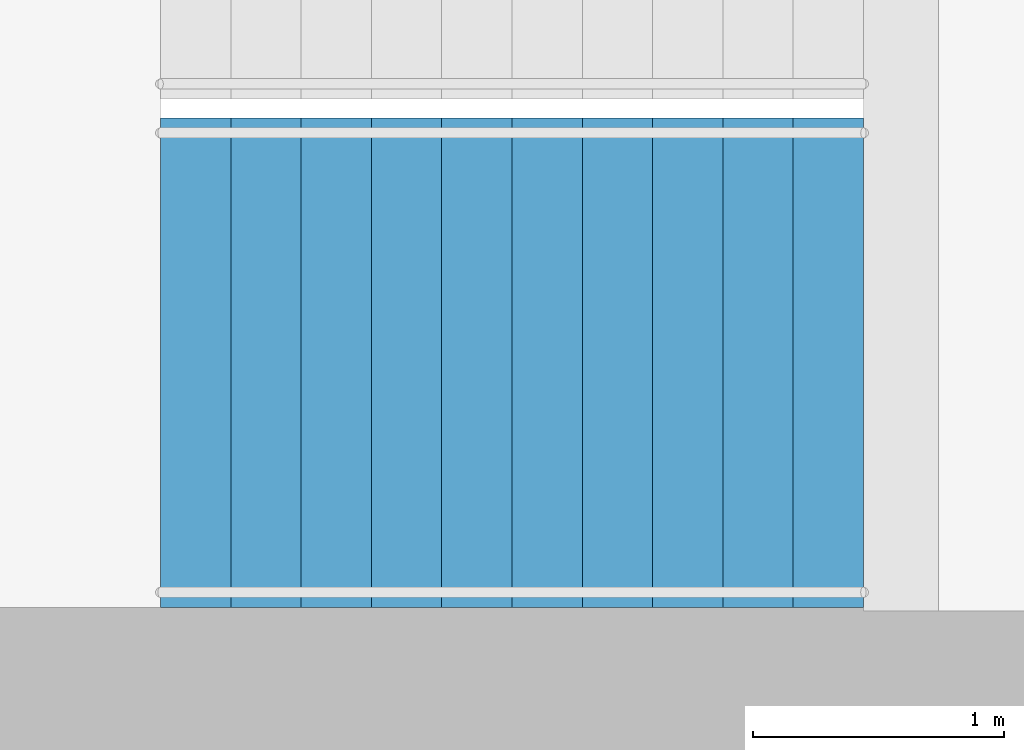
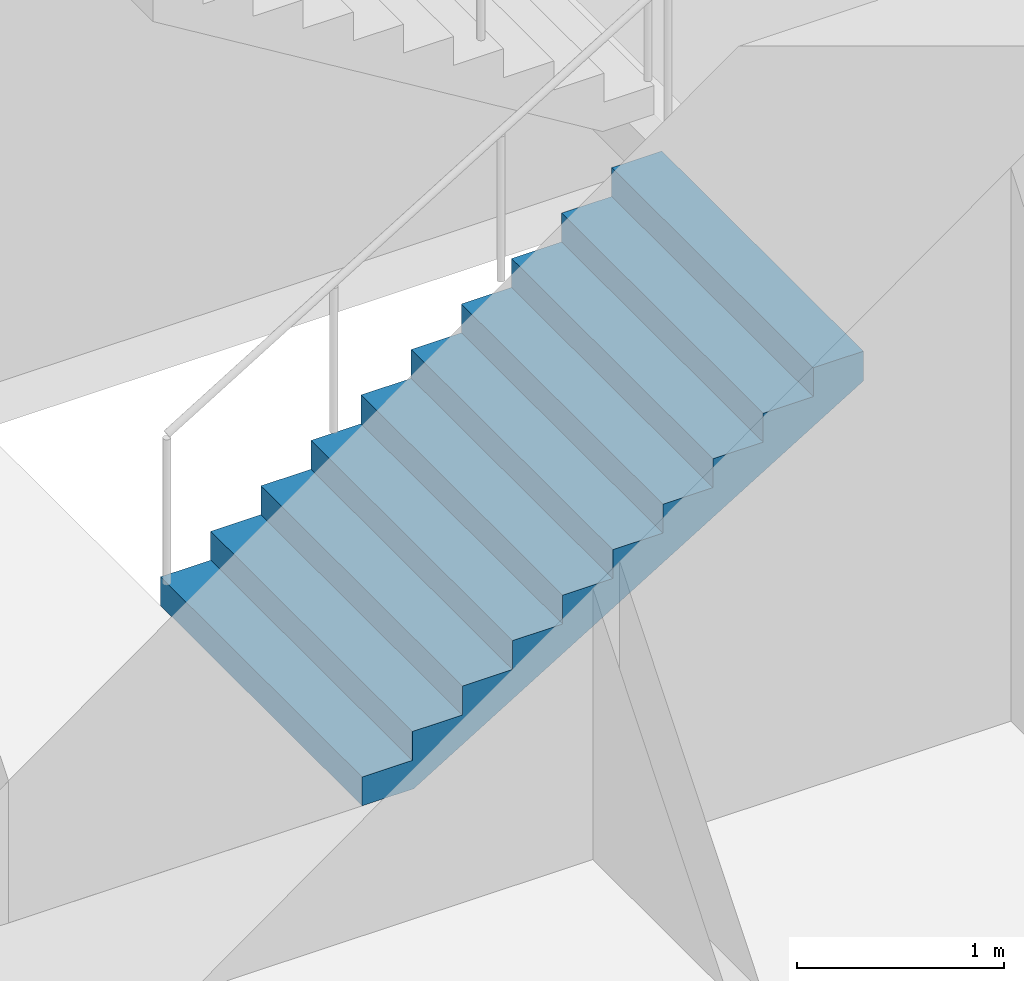
# One storey, part 17 of 21: 1 stair flight, 1 element without a shape of its own.
"""IFC4 building model written with IfcOpenShell, lengths in metres."""

from ifc_helpers import new_model, si_unit, direction, frame, origin, place, context, subcontext, project, spatial, triangles, material, type_object, element, aggregate, save


model = new_model("IFC4")

# Units and contexts
model_context = context("Model", 3, precision=1e-05, world=origin(), true_north=direction((0.0, 1.0)))
body_context = subcontext(model_context, "Body", "Model", "MODEL_VIEW")
ifc_project = project(units=[si_unit("LENGTHUNIT", "METRE"), si_unit("AREAUNIT", "SQUARE_METRE"), si_unit("VOLUMEUNIT", "CUBIC_METRE"), si_unit("PLANEANGLEUNIT", "RADIAN"), si_unit("MASSUNIT", "GRAM", prefix="KILO")], contexts=[model_context])

# Site, building, storey
site_placement = place(None, origin())
site = spatial("IfcSite", under=ifc_project, at=site_placement, CompositionType="ELEMENT")
building_placement = place(site_placement, origin())
building = spatial("IfcBuilding", under=site, at=building_placement, Name="Orbita Commons", CompositionType="ELEMENT")
storey_placement = place(building_placement, frame((0.0, 0.0, 88.14990234375)))
storey = spatial("IfcBuildingStorey", under=building, at=storey_placement, Name="L21", CompositionType="ELEMENT", Elevation=88.14990234375)

# Stair, stair flight
ifc_material_1 = material(Name="Precast concrete C40/50", Category="concrete")
stair_type = type_object("IfcStairType", Name="Exit stair S1 2 flights 11 risers 170", PredefinedType="HALF_TURN_STAIR", material=ifc_material_1)
stair_placement = place(storey_placement, origin())
stair = element("IfcStair", 1, at=stair_placement, inside=storey, type_object=stair_type, Name="Exit stair S1 L21", PredefinedType="HALF_TURN_STAIR")
ifc_material_2 = material(Name="Precast concrete C40/50", Category="concrete")
stair_flight_type = type_object("IfcStairFlightType", Name="Stair flight 11 risers 170 x 280", PredefinedType="STRAIGHT", material=ifc_material_2)
stair_flight_placement = place(storey_placement, frame((20.449951171875, 27.25, 0.0), z_axis=(0.0, 0.0, 1.0), x_axis=(1.0, 0.0, 0.0)))
stair_flight = element("IfcStairFlight", 2, at=stair_flight_placement, type_object=stair_flight_type, Name="S1 flight 1", NumberOfRisers=11, NumberOfTreads=10, PredefinedType="STRAIGHT", RiserHeight=0.170454545, TreadLength=0.28, context=body_context, shape_type="Tessellation", body=[
    triangles([(0.0, 0.974976, 0.0), (0.0, 0.974976, 0.021307), (0.0, 0.81248, 0.021307), (0.0, 0.81248, 0.0), (0.0, 0.649984, 0.021307), (0.0, 0.649984, 0.0), (0.0, 0.487488, 0.021307), (0.0, 0.487488, 0.0), (0.0, 0.324992, 0.021307), (0.0, 0.324992, 0.0), (0.0, 0.162496, 0.021307), (0.0, 0.162496, 0.0), (0.0, 0.0, 0.021307), (0.0, 0.0, 0.0), (0.0, -0.162496, 0.021307), (0.0, -0.162496, 0.0), (0.0, -0.324992, 0.021307), (0.0, -0.324992, 0.0), (0.0, -0.487488, 0.021307), (0.0, -0.487488, 0.0), (0.0, -0.649984, 0.021307), (0.0, -0.649984, 0.0), (0.0, -0.81248, 0.021307), (0.0, -0.81248, 0.0), (0.0, -0.974976, 0.021307), (0.0, -0.974976, 0.0), (0.0, 0.974976, 0.042614), (0.0, 0.81248, 0.042614), (0.0, 0.649984, 0.042614), (0.0, 0.487488, 0.042614), (0.0, 0.324992, 0.042614), (0.0, 0.162496, 0.042614), (0.0, 0.0, 0.042614), (0.0, -0.162496, 0.042614), (0.0, -0.324992, 0.042614), (0.0, -0.487488, 0.042614), (0.0, -0.649984, 0.042614), (0.0, -0.81248, 0.042614), (0.0, -0.974976, 0.042614), (0.0, 0.974976, 0.06392), (0.0, 0.81248, 0.06392), (0.0, 0.649984, 0.06392), (0.0, 0.487488, 0.06392), (0.0, 0.324992, 0.06392), (0.0, 0.162496, 0.06392), (0.0, 0.0, 0.06392), (0.0, -0.162496, 0.06392), (0.0, -0.324992, 0.06392), (0.0, -0.487488, 0.06392), (0.0, -0.649984, 0.06392), (0.0, -0.81248, 0.06392), (0.0, -0.974976, 0.06392), (0.0, 0.974976, 0.085227), (0.0, 0.81248, 0.085227), (0.0, 0.649984, 0.085227), (0.0, 0.487488, 0.085227), (0.0, 0.324992, 0.085227), (0.0, 0.162496, 0.085227), (0.0, 0.0, 0.085227), (0.0, -0.162496, 0.085227), (0.0, -0.324992, 0.085227), (0.0, -0.487488, 0.085227), (0.0, -0.649984, 0.085227), (0.0, -0.81248, 0.085227), (0.0, -0.974976, 0.085227), (0.0, 0.974976, 0.106534), (0.0, 0.81248, 0.106534), (0.0, 0.649984, 0.106534), (0.0, 0.487488, 0.106534), (0.0, 0.324992, 0.106534), (0.0, 0.162496, 0.106534), (0.0, 0.0, 0.106534), (0.0, -0.162496, 0.106534), (0.0, -0.324992, 0.106534), (0.0, -0.487488, 0.106534), (0.0, -0.649984, 0.106534), (0.0, -0.81248, 0.106534), (0.0, -0.974976, 0.106534), (0.0, 0.974976, 0.127841), (0.0, 0.81248, 0.127841), (0.0, 0.649984, 0.127841), (0.0, 0.487488, 0.127841), (0.0, 0.324992, 0.127841), (0.0, 0.162496, 0.127841), (0.0, 0.0, 0.127841), (0.0, -0.162496, 0.127841), (0.0, -0.324992, 0.127841), (0.0, -0.487488, 0.127841), (0.0, -0.649984, 0.127841), (0.0, -0.81248, 0.127841), (0.0, -0.974976, 0.127841), (0.0, 0.974976, 0.149148), (0.0, 0.81248, 0.149148), (0.0, 0.649984, 0.149148), (0.0, 0.487488, 0.149148), (0.0, 0.324992, 0.149148), (0.0, 0.162496, 0.149148), (0.0, 0.0, 0.149148), (0.0, -0.162496, 0.149148), (0.0, -0.324992, 0.149148), (0.0, -0.487488, 0.149148), (0.0, -0.649984, 0.149148), (0.0, -0.81248, 0.149148), (0.0, -0.974976, 0.149148), (0.0, 0.974976, 0.170455), (0.0, 0.81248, 0.170455), (0.0, 0.649984, 0.170455), (0.0, 0.487488, 0.170455), (0.0, 0.324992, 0.170455), (0.0, 0.162496, 0.170455), (0.0, 0.0, 0.170455), (0.0, -0.162496, 0.170455), (0.0, -0.324992, 0.170455), (0.0, -0.487488, 0.170455), (0.0, -0.649984, 0.170455), (0.0, -0.81248, 0.170455), (0.0, -0.974976, 0.170455), (0.28, 0.974976, 0.170455), (0.28, 0.81248, 0.170455), (0.28, 0.649984, 0.170455), (0.28, 0.487488, 0.170455), (0.28, 0.324992, 0.170455), (0.28, 0.162496, 0.170455), (0.28, 0.0, 0.170455), (0.28, -0.162496, 0.170455), (0.28, -0.324992, 0.170455), (0.28, -0.487488, 0.170455), (0.28, -0.649984, 0.170455), (0.28, -0.81248, 0.170455), (0.28, -0.974976, 0.170455), (0.28, 0.974976, 0.340909), (0.28, 0.81248, 0.340909), (0.28, 0.649984, 0.340909), (0.28, 0.487488, 0.340909), (0.28, 0.324992, 0.340909), (0.28, 0.162496, 0.340909), (0.28, 0.0, 0.340909), (0.28, -0.162496, 0.340909), (0.28, -0.324992, 0.340909), (0.28, -0.487488, 0.340909), (0.28, -0.649984, 0.340909), (0.28, -0.81248, 0.340909), (0.28, -0.974976, 0.340909), (0.56, 0.974976, 0.340909), (0.56, 0.81248, 0.340909), (0.56, 0.649984, 0.340909), (0.56, 0.487488, 0.340909), (0.56, 0.324992, 0.340909), (0.56, 0.162496, 0.340909), (0.56, 0.0, 0.340909), (0.56, -0.162496, 0.340909), (0.56, -0.324992, 0.340909), (0.56, -0.487488, 0.340909), (0.56, -0.649984, 0.340909), (0.56, -0.81248, 0.340909), (0.56, -0.974976, 0.340909), (0.56, 0.974976, 0.511364), (0.56, 0.81248, 0.511364), (0.56, 0.649984, 0.511364), (0.56, 0.487488, 0.511364), (0.56, 0.324992, 0.511364), (0.56, 0.162496, 0.511364), (0.56, 0.0, 0.511364), (0.56, -0.162496, 0.511364), (0.56, -0.324992, 0.511364), (0.56, -0.487488, 0.511364), (0.56, -0.649984, 0.511364), (0.56, -0.81248, 0.511364), (0.56, -0.974976, 0.511364), (0.84, 0.974976, 0.511364), (0.84, 0.81248, 0.511364), (0.84, 0.649984, 0.511364), (0.84, 0.487488, 0.511364), (0.84, 0.324992, 0.511364), (0.84, 0.162496, 0.511364), (0.84, 0.0, 0.511364), (0.84, -0.162496, 0.511364), (0.84, -0.324992, 0.511364), (0.84, -0.487488, 0.511364), (0.84, -0.649984, 0.511364), (0.84, -0.81248, 0.511364), (0.84, -0.974976, 0.511364), (0.84, 0.974976, 0.681818), (0.84, 0.81248, 0.681818), (0.84, 0.649984, 0.681818), (0.84, 0.487488, 0.681818), (0.84, 0.324992, 0.681818), (0.84, 0.162496, 0.681818), (0.84, 0.0, 0.681818), (0.84, -0.162496, 0.681818), (0.84, -0.324992, 0.681818), (0.84, -0.487488, 0.681818), (0.84, -0.649984, 0.681818), (0.84, -0.81248, 0.681818), (0.84, -0.974976, 0.681818), (1.12, 0.974976, 0.681818), (1.12, 0.81248, 0.681818), (1.12, 0.649984, 0.681818), (1.12, 0.487488, 0.681818), (1.12, 0.324992, 0.681818), (1.12, 0.162496, 0.681818), (1.12, 0.0, 0.681818), (1.12, -0.162496, 0.681818), (1.12, -0.324992, 0.681818), (1.12, -0.487488, 0.681818), (1.12, -0.649984, 0.681818), (1.12, -0.81248, 0.681818), (1.12, -0.974976, 0.681818), (1.12, 0.974976, 0.852273), (1.12, 0.81248, 0.852273), (1.12, 0.649984, 0.852273), (1.12, 0.487488, 0.852273), (1.12, 0.324992, 0.852273), (1.12, 0.162496, 0.852273), (1.12, 0.0, 0.852273), (1.12, -0.162496, 0.852273), (1.12, -0.324992, 0.852273), (1.12, -0.487488, 0.852273), (1.12, -0.649984, 0.852273), (1.12, -0.81248, 0.852273), (1.12, -0.974976, 0.852273), (1.4, 0.974976, 0.852273), (1.4, 0.81248, 0.852273), (1.4, 0.649984, 0.852273), (1.4, 0.487488, 0.852273), (1.4, 0.324992, 0.852273), (1.4, 0.162496, 0.852273), (1.4, 0.0, 0.852273), (1.4, -0.162496, 0.852273), (1.4, -0.324992, 0.852273), (1.4, -0.487488, 0.852273), (1.4, -0.649984, 0.852273), (1.4, -0.81248, 0.852273), (1.4, -0.974976, 0.852273), (1.4, 0.974976, 1.022727), (1.4, 0.81248, 1.022727), (1.4, 0.649984, 1.022727), (1.4, 0.487488, 1.022727), (1.4, 0.324992, 1.022727), (1.4, 0.162496, 1.022727), (1.4, 0.0, 1.022727), (1.4, -0.162496, 1.022727), (1.4, -0.324992, 1.022727), (1.4, -0.487488, 1.022727), (1.4, -0.649984, 1.022727), (1.4, -0.81248, 1.022727), (1.4, -0.974976, 1.022727), (1.68, 0.974976, 1.022727), (1.68, 0.81248, 1.022727), (1.68, 0.649984, 1.022727), (1.68, 0.487488, 1.022727), (1.68, 0.324992, 1.022727), (1.68, 0.162496, 1.022727), (1.68, 0.0, 1.022727), (1.68, -0.162496, 1.022727), (1.68, -0.324992, 1.022727), (1.68, -0.487488, 1.022727), (1.68, -0.649984, 1.022727), (1.68, -0.81248, 1.022727), (1.68, -0.974976, 1.022727), (1.68, 0.974976, 1.193182), (1.68, 0.81248, 1.193182), (1.68, 0.649984, 1.193182), (1.68, 0.487488, 1.193182), (1.68, 0.324992, 1.193182), (1.68, 0.162496, 1.193182), (1.68, 0.0, 1.193182), (1.68, -0.162496, 1.193182), (1.68, -0.324992, 1.193182), (1.68, -0.487488, 1.193182), (1.68, -0.649984, 1.193182), (1.68, -0.81248, 1.193182), (1.68, -0.974976, 1.193182), (1.96, 0.974976, 1.193182), (1.96, 0.81248, 1.193182), (1.96, 0.649984, 1.193182), (1.96, 0.487488, 1.193182), (1.96, 0.324992, 1.193182), (1.96, 0.162496, 1.193182), (1.96, 0.0, 1.193182), (1.96, -0.162496, 1.193182), (1.96, -0.324992, 1.193182), (1.96, -0.487488, 1.193182), (1.96, -0.649984, 1.193182), (1.96, -0.81248, 1.193182), (1.96, -0.974976, 1.193182), (1.96, 0.974976, 1.363636), (1.96, 0.81248, 1.363636), (1.96, 0.649984, 1.363636), (1.96, 0.487488, 1.363636), (1.96, 0.324992, 1.363636), (1.96, 0.162496, 1.363636), (1.96, 0.0, 1.363636), (1.96, -0.162496, 1.363636), (1.96, -0.324992, 1.363636), (1.96, -0.487488, 1.363636), (1.96, -0.649984, 1.363636), (1.96, -0.81248, 1.363636), (1.96, -0.974976, 1.363636), (2.24, 0.974976, 1.363636), (2.24, 0.81248, 1.363636), (2.24, 0.649984, 1.363636), (2.24, 0.487488, 1.363636), (2.24, 0.324992, 1.363636), (2.24, 0.162496, 1.363636), (2.24, 0.0, 1.363636), (2.24, -0.162496, 1.363636), (2.24, -0.324992, 1.363636), (2.24, -0.487488, 1.363636), (2.24, -0.649984, 1.363636), (2.24, -0.81248, 1.363636), (2.24, -0.974976, 1.363636), (2.24, 0.974976, 1.534091), (2.24, 0.81248, 1.534091), (2.24, 0.649984, 1.534091), (2.24, 0.487488, 1.534091), (2.24, 0.324992, 1.534091), (2.24, 0.162496, 1.534091), (2.24, 0.0, 1.534091), (2.24, -0.162496, 1.534091), (2.24, -0.324992, 1.534091), (2.24, -0.487488, 1.534091), (2.24, -0.649984, 1.534091), (2.24, -0.81248, 1.534091), (2.24, -0.974976, 1.534091), (2.52, 0.974976, 1.534091), (2.52, 0.81248, 1.534091), (2.52, 0.649984, 1.534091), (2.52, 0.487488, 1.534091), (2.52, 0.324992, 1.534091), (2.52, 0.162496, 1.534091), (2.52, 0.0, 1.534091), (2.52, -0.162496, 1.534091), (2.52, -0.324992, 1.534091), (2.52, -0.487488, 1.534091), (2.52, -0.649984, 1.534091), (2.52, -0.81248, 1.534091), (2.52, -0.974976, 1.534091), (2.52, 0.974976, 1.704545), (2.52, 0.81248, 1.704545), (2.52, 0.649984, 1.704545), (2.52, 0.487488, 1.704545), (2.52, 0.324992, 1.704545), (2.52, 0.162496, 1.704545), (2.52, 0.0, 1.704545), (2.52, -0.162496, 1.704545), (2.52, -0.324992, 1.704545), (2.52, -0.487488, 1.704545), (2.52, -0.649984, 1.704545), (2.52, -0.81248, 1.704545), (2.52, -0.974976, 1.704545), (2.8, 0.974976, 1.704545), (2.8, 0.81248, 1.704545), (2.8, 0.649984, 1.704545), (2.8, 0.487488, 1.704545), (2.8, 0.324992, 1.704545), (2.8, 0.162496, 1.704545), (2.8, 0.0, 1.704545), (2.8, -0.162496, 1.704545), (2.8, -0.324992, 1.704545), (2.8, -0.487488, 1.704545), (2.8, -0.649984, 1.704545), (2.8, -0.81248, 1.704545), (2.8, -0.974976, 1.704545), (2.8, 0.974976, 1.682609), (2.8, 0.81248, 1.682609), (2.8, 0.649984, 1.682609), (2.8, 0.487488, 1.682609), (2.8, 0.324992, 1.682609), (2.8, 0.162496, 1.682609), (2.8, 0.0, 1.682609), (2.8, -0.162496, 1.682609), (2.8, -0.324992, 1.682609), (2.8, -0.487488, 1.682609), (2.8, -0.649984, 1.682609), (2.8, -0.81248, 1.682609), (2.8, -0.974976, 1.682609), (2.8, 0.974976, 1.660672), (2.8, 0.81248, 1.660672), (2.8, 0.649984, 1.660672), (2.8, 0.487488, 1.660672), (2.8, 0.324992, 1.660672), (2.8, 0.162496, 1.660672), (2.8, 0.0, 1.660672), (2.8, -0.162496, 1.660672), (2.8, -0.324992, 1.660672), (2.8, -0.487488, 1.660672), (2.8, -0.649984, 1.660672), (2.8, -0.81248, 1.660672), (2.8, -0.974976, 1.660672), (2.8, 0.974976, 1.638735), (2.8, 0.81248, 1.638735), (2.8, 0.649984, 1.638735), (2.8, 0.487488, 1.638735), (2.8, 0.324992, 1.638735), (2.8, 0.162496, 1.638735), (2.8, 0.0, 1.638735), (2.8, -0.162496, 1.638735), (2.8, -0.324992, 1.638735), (2.8, -0.487488, 1.638735), (2.8, -0.649984, 1.638735), (2.8, -0.81248, 1.638735), (2.8, -0.974976, 1.638735), (2.8, 0.974976, 1.616798), (2.8, 0.81248, 1.616798), (2.8, 0.649984, 1.616798), (2.8, 0.487488, 1.616798), (2.8, 0.324992, 1.616798), (2.8, 0.162496, 1.616798), (2.8, 0.0, 1.616798), (2.8, -0.162496, 1.616798), (2.8, -0.324992, 1.616798), (2.8, -0.487488, 1.616798), (2.8, -0.649984, 1.616798), (2.8, -0.81248, 1.616798), (2.8, -0.974976, 1.616798), (2.8, 0.974976, 1.594861), (2.8, 0.81248, 1.594861), (2.8, 0.649984, 1.594861), (2.8, 0.487488, 1.594861), (2.8, 0.324992, 1.594861), (2.8, 0.162496, 1.594861), (2.8, 0.0, 1.594861), (2.8, -0.162496, 1.594861), (2.8, -0.324992, 1.594861), (2.8, -0.487488, 1.594861), (2.8, -0.649984, 1.594861), (2.8, -0.81248, 1.594861), (2.8, -0.974976, 1.594861), (2.8, 0.974976, 1.572925), (2.8, 0.81248, 1.572925), (2.8, 0.649984, 1.572925), (2.8, 0.487488, 1.572925), (2.8, 0.324992, 1.572925), (2.8, 0.162496, 1.572925), (2.8, 0.0, 1.572925), (2.8, -0.162496, 1.572925), (2.8, -0.324992, 1.572925), (2.8, -0.487488, 1.572925), (2.8, -0.649984, 1.572925), (2.8, -0.81248, 1.572925), (2.8, -0.974976, 1.572925), (2.8, 0.974976, 1.550988), (2.8, 0.81248, 1.550988), (2.8, 0.649984, 1.550988), (2.8, 0.487488, 1.550988), (2.8, 0.324992, 1.550988), (2.8, 0.162496, 1.550988), (2.8, 0.0, 1.550988), (2.8, -0.162496, 1.550988), (2.8, -0.324992, 1.550988), (2.8, -0.487488, 1.550988), (2.8, -0.649984, 1.550988), (2.8, -0.81248, 1.550988), (2.8, -0.974976, 1.550988), (2.8, 0.974976, 1.529051), (2.8, 0.81248, 1.529051), (2.8, 0.649984, 1.529051), (2.8, 0.487488, 1.529051), (2.8, 0.324992, 1.529051), (2.8, 0.162496, 1.529051), (2.8, 0.0, 1.529051), (2.8, -0.162496, 1.529051), (2.8, -0.324992, 1.529051), (2.8, -0.487488, 1.529051), (2.8, -0.649984, 1.529051), (2.8, -0.81248, 1.529051), (2.8, -0.974976, 1.529051), (0.288279, 0.974976, 0.0), (0.288279, 0.81248, 0.0), (0.288279, 0.649984, 0.0), (0.288279, 0.487488, 0.0), (0.288279, 0.324992, 0.0), (0.288279, 0.162496, 0.0), (0.288279, 0.0, 0.0), (0.288279, -0.162496, 0.0), (0.288279, -0.324992, 0.0), (0.288279, -0.487488, 0.0), (0.288279, -0.649984, 0.0), (0.288279, -0.81248, 0.0), (0.288279, -0.974976, 0.0)], [[3, 2, 1], [4, 3, 1], [5, 3, 4], [6, 5, 4], [7, 5, 6], [8, 7, 6], [9, 7, 8], [10, 9, 8], [11, 9, 10], [12, 11, 10], [13, 11, 12], [14, 13, 12], [15, 13, 14], [16, 15, 14], [17, 15, 16], [18, 17, 16], [19, 17, 18], [20, 19, 18], [21, 19, 20], [22, 21, 20], [23, 21, 22], [24, 23, 22], [25, 23, 24], [26, 25, 24], [28, 27, 2], [3, 28, 2], [29, 28, 3], [5, 29, 3], [30, 29, 5], [7, 30, 5], [31, 30, 7], [9, 31, 7], [32, 31, 9], [11, 32, 9], [33, 32, 11], [13, 33, 11], [34, 33, 13], [15, 34, 13], [35, 34, 15], [17, 35, 15], [36, 35, 17], [19, 36, 17], [37, 36, 19], [21, 37, 19], [38, 37, 21], [23, 38, 21], [39, 38, 23], [25, 39, 23], [41, 40, 27], [28, 41, 27], [42, 41, 28], [29, 42, 28], [43, 42, 29], [30, 43, 29], [44, 43, 30], [31, 44, 30], [45, 44, 31], [32, 45, 31], [46, 45, 32], [33, 46, 32], [47, 46, 33], [34, 47, 33], [48, 47, 34], [35, 48, 34], [49, 48, 35], [36, 49, 35], [50, 49, 36], [37, 50, 36], [51, 50, 37], [38, 51, 37], [52, 51, 38], [39, 52, 38], [54, 53, 40], [41, 54, 40], [55, 54, 41], [42, 55, 41], [56, 55, 42], [43, 56, 42], [57, 56, 43], [44, 57, 43], [58, 57, 44], [45, 58, 44], [59, 58, 45], [46, 59, 45], [60, 59, 46], [47, 60, 46], [61, 60, 47], [48, 61, 47], [62, 61, 48], [49, 62, 48], [63, 62, 49], [50, 63, 49], [64, 63, 50], [51, 64, 50], [65, 64, 51], [52, 65, 51], [67, 66, 53], [54, 67, 53], [68, 67, 54], [55, 68, 54], [69, 68, 55], [56, 69, 55], [70, 69, 56], [57, 70, 56], [71, 70, 57], [58, 71, 57], [72, 71, 58], [59, 72, 58], [73, 72, 59], [60, 73, 59], [74, 73, 60], [61, 74, 60], [75, 74, 61], [62, 75, 61], [76, 75, 62], [63, 76, 62], [77, 76, 63], [64, 77, 63], [78, 77, 64], [65, 78, 64], [80, 79, 66], [67, 80, 66], [81, 80, 67], [68, 81, 67], [82, 81, 68], [69, 82, 68], [83, 82, 69], [70, 83, 69], [84, 83, 70], [71, 84, 70], [85, 84, 71], [72, 85, 71], [86, 85, 72], [73, 86, 72], [87, 86, 73], [74, 87, 73], [88, 87, 74], [75, 88, 74], [89, 88, 75], [76, 89, 75], [90, 89, 76], [77, 90, 76], [91, 90, 77], [78, 91, 77], [93, 92, 79], [80, 93, 79], [94, 93, 80], [81, 94, 80], [95, 94, 81], [82, 95, 81], [96, 95, 82], [83, 96, 82], [97, 96, 83], [84, 97, 83], [98, 97, 84], [85, 98, 84], [99, 98, 85], [86, 99, 85], [100, 99, 86], [87, 100, 86], [101, 100, 87], [88, 101, 87], [102, 101, 88], [89, 102, 88], [103, 102, 89], [90, 103, 89], [104, 103, 90], [91, 104, 90], [106, 105, 92], [93, 106, 92], [107, 106, 93], [94, 107, 93], [108, 107, 94], [95, 108, 94], [109, 108, 95], [96, 109, 95], [110, 109, 96], [97, 110, 96], [111, 110, 97], [98, 111, 97], [112, 111, 98], [99, 112, 98], [113, 112, 99], [100, 113, 99], [114, 113, 100], [101, 114, 100], [115, 114, 101], [102, 115, 101], [116, 115, 102], [103, 116, 102], [117, 116, 103], [104, 117, 103], [119, 118, 105], [106, 119, 105], [120, 119, 106], [107, 120, 106], [121, 120, 107], [108, 121, 107], [122, 121, 108], [109, 122, 108], [123, 122, 109], [110, 123, 109], [124, 123, 110], [111, 124, 110], [125, 124, 111], [112, 125, 111], [126, 125, 112], [113, 126, 112], [127, 126, 113], [114, 127, 113], [128, 127, 114], [115, 128, 114], [129, 128, 115], [116, 129, 115], [130, 129, 116], [117, 130, 116], [132, 131, 118], [119, 132, 118], [133, 132, 119], [120, 133, 119], [134, 133, 120], [121, 134, 120], [135, 134, 121], [122, 135, 121], [136, 135, 122], [123, 136, 122], [137, 136, 123], [124, 137, 123], [138, 137, 124], [125, 138, 124], [139, 138, 125], [126, 139, 125], [140, 139, 126], [127, 140, 126], [141, 140, 127], [128, 141, 127], [142, 141, 128], [129, 142, 128], [143, 142, 129], [130, 143, 129], [145, 144, 131], [132, 145, 131], [146, 145, 132], [133, 146, 132], [147, 146, 133], [134, 147, 133], [148, 147, 134], [135, 148, 134], [149, 148, 135], [136, 149, 135], [150, 149, 136], [137, 150, 136], [151, 150, 137], [138, 151, 137], [152, 151, 138], [139, 152, 138], [153, 152, 139], [140, 153, 139], [154, 153, 140], [141, 154, 140], [155, 154, 141], [142, 155, 141], [156, 155, 142], [143, 156, 142], [158, 157, 144], [145, 158, 144], [159, 158, 145], [146, 159, 145], [160, 159, 146], [147, 160, 146], [161, 160, 147], [148, 161, 147], [162, 161, 148], [149, 162, 148], [163, 162, 149], [150, 163, 149], [164, 163, 150], [151, 164, 150], [165, 164, 151], [152, 165, 151], [166, 165, 152], [153, 166, 152], [167, 166, 153], [154, 167, 153], [168, 167, 154], [155, 168, 154], [169, 168, 155], [156, 169, 155], [171, 170, 157], [158, 171, 157], [172, 171, 158], [159, 172, 158], [173, 172, 159], [160, 173, 159], [174, 173, 160], [161, 174, 160], [175, 174, 161], [162, 175, 161], [176, 175, 162], [163, 176, 162], [177, 176, 163], [164, 177, 163], [178, 177, 164], [165, 178, 164], [179, 178, 165], [166, 179, 165], [180, 179, 166], [167, 180, 166], [181, 180, 167], [168, 181, 167], [182, 181, 168], [169, 182, 168], [184, 183, 170], [171, 184, 170], [185, 184, 171], [172, 185, 171], [186, 185, 172], [173, 186, 172], [187, 186, 173], [174, 187, 173], [188, 187, 174], [175, 188, 174], [189, 188, 175], [176, 189, 175], [190, 189, 176], [177, 190, 176], [191, 190, 177], [178, 191, 177], [192, 191, 178], [179, 192, 178], [193, 192, 179], [180, 193, 179], [194, 193, 180], [181, 194, 180], [195, 194, 181], [182, 195, 181], [197, 196, 183], [184, 197, 183], [198, 197, 184], [185, 198, 184], [199, 198, 185], [186, 199, 185], [200, 199, 186], [187, 200, 186], [201, 200, 187], [188, 201, 187], [202, 201, 188], [189, 202, 188], [203, 202, 189], [190, 203, 189], [204, 203, 190], [191, 204, 190], [205, 204, 191], [192, 205, 191], [206, 205, 192], [193, 206, 192], [207, 206, 193], [194, 207, 193], [208, 207, 194], [195, 208, 194], [210, 209, 196], [197, 210, 196], [211, 210, 197], [198, 211, 197], [212, 211, 198], [199, 212, 198], [213, 212, 199], [200, 213, 199], [214, 213, 200], [201, 214, 200], [215, 214, 201], [202, 215, 201], [216, 215, 202], [203, 216, 202], [217, 216, 203], [204, 217, 203], [218, 217, 204], [205, 218, 204], [219, 218, 205], [206, 219, 205], [220, 219, 206], [207, 220, 206], [221, 220, 207], [208, 221, 207], [223, 222, 209], [210, 223, 209], [224, 223, 210], [211, 224, 210], [225, 224, 211], [212, 225, 211], [226, 225, 212], [213, 226, 212], [227, 226, 213], [214, 227, 213], [228, 227, 214], [215, 228, 214], [229, 228, 215], [216, 229, 215], [230, 229, 216], [217, 230, 216], [231, 230, 217], [218, 231, 217], [232, 231, 218], [219, 232, 218], [233, 232, 219], [220, 233, 219], [234, 233, 220], [221, 234, 220], [236, 235, 222], [223, 236, 222], [237, 236, 223], [224, 237, 223], [238, 237, 224], [225, 238, 224], [239, 238, 225], [226, 239, 225], [240, 239, 226], [227, 240, 226], [241, 240, 227], [228, 241, 227], [242, 241, 228], [229, 242, 228], [243, 242, 229], [230, 243, 229], [244, 243, 230], [231, 244, 230], [245, 244, 231], [232, 245, 231], [246, 245, 232], [233, 246, 232], [247, 246, 233], [234, 247, 233], [249, 248, 235], [236, 249, 235], [250, 249, 236], [237, 250, 236], [251, 250, 237], [238, 251, 237], [252, 251, 238], [239, 252, 238], [253, 252, 239], [240, 253, 239], [254, 253, 240], [241, 254, 240], [255, 254, 241], [242, 255, 241], [256, 255, 242], [243, 256, 242], [257, 256, 243], [244, 257, 243], [258, 257, 244], [245, 258, 244], [259, 258, 245], [246, 259, 245], [260, 259, 246], [247, 260, 246], [262, 261, 248], [249, 262, 248], [263, 262, 249], [250, 263, 249], [264, 263, 250], [251, 264, 250], [265, 264, 251], [252, 265, 251], [266, 265, 252], [253, 266, 252], [267, 266, 253], [254, 267, 253], [268, 267, 254], [255, 268, 254], [269, 268, 255], [256, 269, 255], [270, 269, 256], [257, 270, 256], [271, 270, 257], [258, 271, 257], [272, 271, 258], [259, 272, 258], [273, 272, 259], [260, 273, 259], [275, 274, 261], [262, 275, 261], [276, 275, 262], [263, 276, 262], [277, 276, 263], [264, 277, 263], [278, 277, 264], [265, 278, 264], [279, 278, 265], [266, 279, 265], [280, 279, 266], [267, 280, 266], [281, 280, 267], [268, 281, 267], [282, 281, 268], [269, 282, 268], [283, 282, 269], [270, 283, 269], [284, 283, 270], [271, 284, 270], [285, 284, 271], [272, 285, 271], [286, 285, 272], [273, 286, 272], [288, 287, 274], [275, 288, 274], [289, 288, 275], [276, 289, 275], [290, 289, 276], [277, 290, 276], [291, 290, 277], [278, 291, 277], [292, 291, 278], [279, 292, 278], [293, 292, 279], [280, 293, 279], [294, 293, 280], [281, 294, 280], [295, 294, 281], [282, 295, 281], [296, 295, 282], [283, 296, 282], [297, 296, 283], [284, 297, 283], [298, 297, 284], [285, 298, 284], [299, 298, 285], [286, 299, 285], [301, 300, 287], [288, 301, 287], [302, 301, 288], [289, 302, 288], [303, 302, 289], [290, 303, 289], [304, 303, 290], [291, 304, 290], [305, 304, 291], [292, 305, 291], [306, 305, 292], [293, 306, 292], [307, 306, 293], [294, 307, 293], [308, 307, 294], [295, 308, 294], [309, 308, 295], [296, 309, 295], [310, 309, 296], [297, 310, 296], [311, 310, 297], [298, 311, 297], [312, 311, 298], [299, 312, 298], [314, 313, 300], [301, 314, 300], [315, 314, 301], [302, 315, 301], [316, 315, 302], [303, 316, 302], [317, 316, 303], [304, 317, 303], [318, 317, 304], [305, 318, 304], [319, 318, 305], [306, 319, 305], [320, 319, 306], [307, 320, 306], [321, 320, 307], [308, 321, 307], [322, 321, 308], [309, 322, 308], [323, 322, 309], [310, 323, 309], [324, 323, 310], [311, 324, 310], [325, 324, 311], [312, 325, 311], [327, 326, 313], [314, 327, 313], [328, 327, 314], [315, 328, 314], [329, 328, 315], [316, 329, 315], [330, 329, 316], [317, 330, 316], [331, 330, 317], [318, 331, 317], [332, 331, 318], [319, 332, 318], [333, 332, 319], [320, 333, 319], [334, 333, 320], [321, 334, 320], [335, 334, 321], [322, 335, 321], [336, 335, 322], [323, 336, 322], [337, 336, 323], [324, 337, 323], [338, 337, 324], [325, 338, 324], [340, 339, 326], [327, 340, 326], [341, 340, 327], [328, 341, 327], [342, 341, 328], [329, 342, 328], [343, 342, 329], [330, 343, 329], [344, 343, 330], [331, 344, 330], [345, 344, 331], [332, 345, 331], [346, 345, 332], [333, 346, 332], [347, 346, 333], [334, 347, 333], [348, 347, 334], [335, 348, 334], [349, 348, 335], [336, 349, 335], [350, 349, 336], [337, 350, 336], [351, 350, 337], [338, 351, 337], [353, 352, 339], [340, 353, 339], [354, 353, 340], [341, 354, 340], [355, 354, 341], [342, 355, 341], [356, 355, 342], [343, 356, 342], [357, 356, 343], [344, 357, 343], [358, 357, 344], [345, 358, 344], [359, 358, 345], [346, 359, 345], [360, 359, 346], [347, 360, 346], [361, 360, 347], [348, 361, 347], [362, 361, 348], [349, 362, 348], [363, 362, 349], [350, 363, 349], [364, 363, 350], [351, 364, 350], [366, 365, 352], [353, 366, 352], [367, 366, 353], [354, 367, 353], [368, 367, 354], [355, 368, 354], [369, 368, 355], [356, 369, 355], [370, 369, 356], [357, 370, 356], [371, 370, 357], [358, 371, 357], [372, 371, 358], [359, 372, 358], [373, 372, 359], [360, 373, 359], [374, 373, 360], [361, 374, 360], [375, 374, 361], [362, 375, 361], [376, 375, 362], [363, 376, 362], [377, 376, 363], [364, 377, 363], [379, 378, 365], [366, 379, 365], [380, 379, 366], [367, 380, 366], [381, 380, 367], [368, 381, 367], [382, 381, 368], [369, 382, 368], [383, 382, 369], [370, 383, 369], [384, 383, 370], [371, 384, 370], [385, 384, 371], [372, 385, 371], [386, 385, 372], [373, 386, 372], [387, 386, 373], [374, 387, 373], [388, 387, 374], [375, 388, 374], [389, 388, 375], [376, 389, 375], [390, 389, 376], [377, 390, 376], [392, 391, 378], [379, 392, 378], [393, 392, 379], [380, 393, 379], [394, 393, 380], [381, 394, 380], [395, 394, 381], [382, 395, 381], [396, 395, 382], [383, 396, 382], [397, 396, 383], [384, 397, 383], [398, 397, 384], [385, 398, 384], [399, 398, 385], [386, 399, 385], [400, 399, 386], [387, 400, 386], [401, 400, 387], [388, 401, 387], [402, 401, 388], [389, 402, 388], [403, 402, 389], [390, 403, 389], [405, 404, 391], [392, 405, 391], [406, 405, 392], [393, 406, 392], [407, 406, 393], [394, 407, 393], [408, 407, 394], [395, 408, 394], [409, 408, 395], [396, 409, 395], [410, 409, 396], [397, 410, 396], [411, 410, 397], [398, 411, 397], [412, 411, 398], [399, 412, 398], [413, 412, 399], [400, 413, 399], [414, 413, 400], [401, 414, 400], [415, 414, 401], [402, 415, 401], [416, 415, 402], [403, 416, 402], [418, 417, 404], [405, 418, 404], [419, 418, 405], [406, 419, 405], [420, 419, 406], [407, 420, 406], [421, 420, 407], [408, 421, 407], [422, 421, 408], [409, 422, 408], [423, 422, 409], [410, 423, 409], [424, 423, 410], [411, 424, 410], [425, 424, 411], [412, 425, 411], [426, 425, 412], [413, 426, 412], [427, 426, 413], [414, 427, 413], [428, 427, 414], [415, 428, 414], [429, 428, 415], [416, 429, 415], [431, 430, 417], [418, 431, 417], [432, 431, 418], [419, 432, 418], [433, 432, 419], [420, 433, 419], [434, 433, 420], [421, 434, 420], [435, 434, 421], [422, 435, 421], [436, 435, 422], [423, 436, 422], [437, 436, 423], [424, 437, 423], [438, 437, 424], [425, 438, 424], [439, 438, 425], [426, 439, 425], [440, 439, 426], [427, 440, 426], [441, 440, 427], [428, 441, 427], [442, 441, 428], [429, 442, 428], [444, 443, 430], [431, 444, 430], [445, 444, 431], [432, 445, 431], [446, 445, 432], [433, 446, 432], [447, 446, 433], [434, 447, 433], [448, 447, 434], [435, 448, 434], [449, 448, 435], [436, 449, 435], [450, 449, 436], [437, 450, 436], [451, 450, 437], [438, 451, 437], [452, 451, 438], [439, 452, 438], [453, 452, 439], [440, 453, 439], [454, 453, 440], [441, 454, 440], [455, 454, 441], [442, 455, 441], [457, 456, 443], [444, 457, 443], [458, 457, 444], [445, 458, 444], [459, 458, 445], [446, 459, 445], [460, 459, 446], [447, 460, 446], [461, 460, 447], [448, 461, 447], [462, 461, 448], [449, 462, 448], [463, 462, 449], [450, 463, 449], [464, 463, 450], [451, 464, 450], [465, 464, 451], [452, 465, 451], [466, 465, 452], [453, 466, 452], [467, 466, 453], [454, 467, 453], [468, 467, 454], [455, 468, 454], [470, 469, 456], [457, 470, 456], [471, 470, 457], [458, 471, 457], [472, 471, 458], [459, 472, 458], [473, 472, 459], [460, 473, 459], [474, 473, 460], [461, 474, 460], [475, 474, 461], [462, 475, 461], [476, 475, 462], [463, 476, 462], [477, 476, 463], [464, 477, 463], [478, 477, 464], [465, 478, 464], [479, 478, 465], [466, 479, 465], [480, 479, 466], [467, 480, 466], [481, 480, 467], [468, 481, 467], [4, 1, 469], [470, 4, 469], [6, 4, 470], [471, 6, 470], [8, 6, 471], [472, 8, 471], [10, 8, 472], [473, 10, 472], [12, 10, 473], [474, 12, 473], [14, 12, 474], [475, 14, 474], [16, 14, 475], [476, 16, 475], [18, 16, 476], [477, 18, 476], [20, 18, 477], [478, 20, 477], [22, 20, 478], [479, 22, 478], [24, 22, 479], [480, 24, 479], [26, 24, 480], [481, 26, 480], [456, 469, 1], [26, 481, 468], [443, 456, 1], [26, 468, 455], [430, 443, 1], [26, 455, 442], [417, 430, 1], [26, 442, 429], [404, 417, 1], [26, 429, 416], [391, 404, 1], [26, 416, 403], [378, 391, 1], [26, 403, 390], [365, 378, 1], [26, 390, 377], [339, 352, 365], [377, 364, 351], [326, 339, 365], [377, 351, 338], [300, 313, 326], [338, 325, 312], [300, 326, 365], [377, 338, 312], [274, 287, 300], [312, 299, 286], [274, 300, 365], [377, 312, 286], [248, 261, 274], [286, 273, 260], [248, 274, 365], [377, 286, 260], [222, 235, 248], [260, 247, 234], [222, 248, 365], [377, 260, 234], [196, 209, 222], [234, 221, 208], [196, 222, 365], [377, 234, 208], [170, 183, 196], [208, 195, 182], [170, 196, 365], [377, 208, 182], [144, 157, 170], [182, 169, 156], [144, 170, 365], [377, 182, 156], [118, 131, 144], [156, 143, 130], [118, 144, 365], [377, 156, 130], [118, 365, 1], [26, 377, 130], [92, 105, 118], [130, 117, 104], [79, 92, 118], [130, 104, 91], [66, 79, 118], [130, 91, 78], [53, 66, 118], [130, 78, 65], [40, 53, 118], [130, 65, 52], [27, 40, 118], [130, 52, 39], [2, 27, 118], [130, 39, 25], [1, 2, 118], [130, 25, 26]], closed=True),
])
aggregate(stair, [stair_flight])

save(model, "model.ifc")
